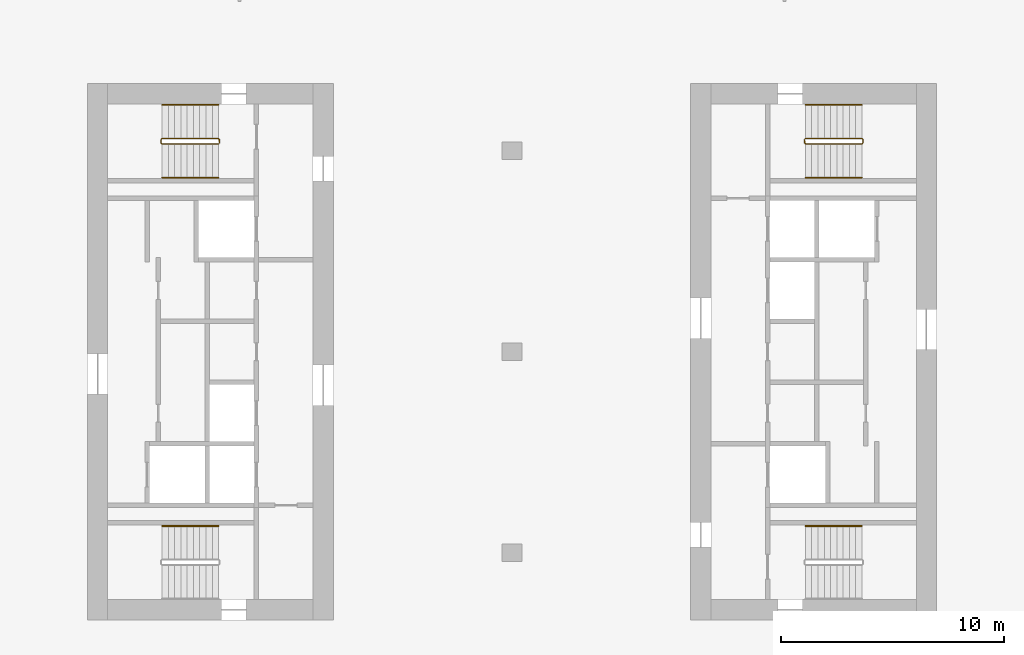
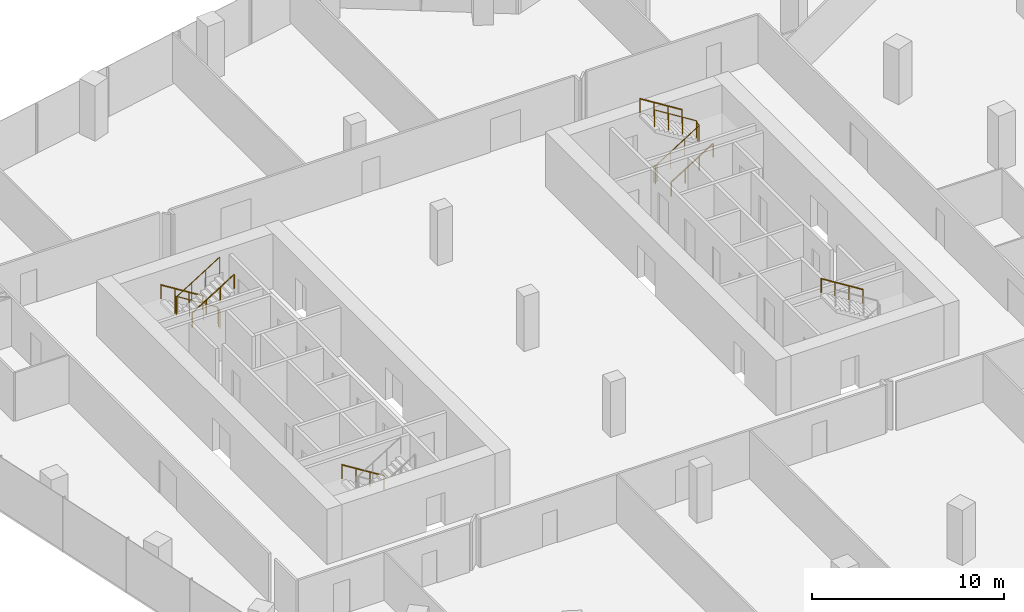
# One storey, part 24 of 24: 8 railings.
"""IFC4 building model written with IfcOpenShell, lengths in metres."""

import ifcopenshell
import ifcopenshell.guid

model = None  # the IFC model being written
_history = None  # IfcOwnerHistory: only IFC2X3 demands one
_inside = {}  # id of a spatial element -> (the spatial element, [elements in it])
_under = {}  # id of a project, library or spatial element -> (it, [spatial elements below it])
_declared = {}  # id of a project -> (the project, [libraries it declares])
_typed = {}  # id of a type object -> (the type object, [elements of that type])
_made_of = {}  # id of a material, layer set ... -> (it, [elements and type objects made of it])


def new_model(schema):
    """Start an empty IFC model of exactly this schema.

    Asked for "IFC4X3", IfcOpenShell would pick the latest addendum, in which some entities
    have other attributes; the version numbers below select the first issue.
    IFC2X3 requires an IfcOwnerHistory on every rooted entity: one is made here for all.
    """
    global model, _history
    if schema == "IFC4X3":
        model = ifcopenshell.file(schema_version=(4, 3, 0, 0))
    else:
        model = ifcopenshell.file(schema=schema)
    _inside.clear()
    _under.clear()
    _declared.clear()
    _typed.clear()
    _made_of.clear()
    _history = None
    if model.schema == "IFC2X3":
        org = make("IfcOrganization", Name="unknown")
        user = make(
            "IfcPersonAndOrganization",
            ThePerson=make("IfcPerson", FamilyName="unknown"),
            TheOrganization=org,
        )
        app = make(
            "IfcApplication",
            ApplicationDeveloper=org,
            Version="unknown",
            ApplicationFullName="unknown",
            ApplicationIdentifier="unknown",
        )
        _history = make(
            "IfcOwnerHistory",
            OwningUser=user,
            OwningApplication=app,
            ChangeAction="ADDED",
            CreationDate=0,
        )
    return model


def make(cls, **values):
    """One entity of the class cls with the attributes given. An attribute that is None is left unset."""
    return model.create_entity(
        cls, **{name: value for name, value in values.items() if value is not None}
    )


def rooted(cls, **values):
    """An entity with a GlobalId (a new one), such as an element, a storey or a relation."""
    return make(cls, GlobalId=ifcopenshell.guid.new(), OwnerHistory=_history, **values)


def si_unit(unit_type, name, prefix=None):
    """IfcSIUnit, for example si_unit("LENGTHUNIT", "METRE", prefix="MILLI")."""
    return make("IfcSIUnit", UnitType=unit_type, Prefix=prefix, Name=name)


def assignment(units):
    """IfcUnitAssignment: the units of a project."""
    return None if units is None else make("IfcUnitAssignment", Units=units)


def point(xyz):
    """IfcCartesianPoint."""
    return None if xyz is None else make("IfcCartesianPoint", Coordinates=xyz)


def direction(xyz):
    """IfcDirection."""
    return None if xyz is None else make("IfcDirection", DirectionRatios=xyz)


def frame(location, z_axis=None, x_axis=None):
    """IfcAxis2Placement3D, a coordinate frame: its origin and axes. An axis left out is left unset."""
    return make(
        "IfcAxis2Placement3D",
        Location=point(location),
        Axis=direction(z_axis),
        RefDirection=direction(x_axis),
    )


def frame_2d(location, x_axis=None):
    """IfcAxis2Placement2D, a coordinate frame in the plane: its origin and x axis."""
    return make(
        "IfcAxis2Placement2D", Location=point(location), RefDirection=direction(x_axis)
    )


def origin():
    """The frame at (0, 0, 0) with its axes left unset."""
    return frame((0.0, 0.0, 0.0))


def origin_2d():
    """The frame at (0, 0) in the plane with its x axis left unset."""
    return frame_2d((0.0, 0.0))


def place(relative_to, where):
    """IfcLocalPlacement: puts the frame where relative to a parent placement (None: the world)."""
    return make(
        "IfcLocalPlacement", PlacementRelTo=relative_to, RelativePlacement=where
    )


def context(
    kind, dimensions, precision=None, world=None, true_north=None, identifier=None
):
    """IfcGeometricRepresentationContext, for example the 3D "Model" context."""
    return make(
        "IfcGeometricRepresentationContext",
        ContextIdentifier=identifier,
        ContextType=kind,
        CoordinateSpaceDimension=dimensions,
        Precision=precision,
        WorldCoordinateSystem=world,
        TrueNorth=true_north,
    )


def subcontext(parent, identifier, kind, view, scale=None):
    """IfcGeometricRepresentationSubContext, for example "Body" below "Model"."""
    return make(
        "IfcGeometricRepresentationSubContext",
        ContextIdentifier=identifier,
        ContextType=kind,
        ParentContext=parent,
        TargetScale=scale,
        TargetView=view,
    )


def project(units=None, contexts=None):
    """IfcProject with its units and contexts."""
    return rooted(
        "IfcProject",
        Name="project",
        RepresentationContexts=contexts,
        UnitsInContext=assignment(units),
    )


def spatial(cls, under=None, at=None, **own):
    """A site, building, storey or space (cls), placed at a placement, below another one or the project."""
    s = rooted(cls, ObjectPlacement=at, **own)
    if under is not None:
        _under.setdefault(under.id(), (under, []))[1].append(s)
    return s


def profile(cls, at=None, kind="AREA", **sizes):
    """A parametric profile (cls). Its sizes go by their IFC names, for example OverallWidth=200.0."""
    return make(cls, ProfileType=kind, Position=at, **sizes)


def circle(**sizes):
    """IfcCircleProfileDef."""
    return profile("IfcCircleProfileDef", **sizes)


def extrude(swept, where, along, depth):
    """IfcExtrudedAreaSolid: the profile swept, set in the frame where, extruded along a direction by depth."""
    return make(
        "IfcExtrudedAreaSolid",
        SweptArea=swept,
        Position=where,
        ExtrudedDirection=direction(along),
        Depth=depth,
    )


def shape(context_of_items, identifier, shape_type, items):
    """IfcShapeRepresentation: the items that make up one representation, for example the "Body"."""
    return make(
        "IfcShapeRepresentation",
        ContextOfItems=context_of_items,
        RepresentationIdentifier=identifier,
        RepresentationType=shape_type,
        Items=items,
    )


def material(Name=None, Category=None):
    """IfcMaterial."""
    return make("IfcMaterial", Name=Name, Category=Category)


def made_of(thing, what):
    """Note that an element or type object is made of a material, layer set ...; save() writes the relation."""
    if what is not None:
        _made_of.setdefault(what.id(), (what, []))[1].append(thing)
    return thing


def type_object(cls, material=None, **own):
    """A type object (cls), such as IfcWallType, which elements share."""
    return made_of(rooted(cls, **own), material)


def element(
    cls,
    number,
    at=None,
    inside=None,
    cuts=None,
    type_object=None,
    material=None,
    context=None,
    identifier="Body",
    shape_type=None,
    held_by="IfcProductDefinitionShape",
    body=None,
    shapes=None,
    **own,
):
    """One element of the class cls, such as IfcWall. Its Tag is "e" and its number.

    at: its placement. inside: the storey or other place that contains it. cuts: it is an
    opening in that element (IfcRelVoidsElement). A single representation is given by context,
    identifier, shape_type and body (its items); several are given by shapes. held_by: the class
    of the entity that holds the representations. save() writes the other relations.
    """
    e = rooted(cls, Tag="e%d" % number, ObjectPlacement=at, **own)
    if body is not None:
        shapes = [shape(context, identifier, shape_type, body)]
    if shapes is not None:
        e.Representation = make(held_by, Representations=shapes)
    if inside is not None:
        _inside.setdefault(inside.id(), (inside, []))[1].append(e)
    if cuts is not None:
        rooted(
            "IfcRelVoidsElement", RelatingBuildingElement=cuts, RelatedOpeningElement=e
        )
    if type_object is not None:
        _typed.setdefault(type_object.id(), (type_object, []))[1].append(e)
    return made_of(e, material)


def aggregate(whole, parts):
    """IfcRelAggregates: a whole, such as a stair, and the parts it consists of."""
    return rooted("IfcRelAggregates", RelatingObject=whole, RelatedObjects=parts)


def save(model, path):
    """Write the relations noted so far, then the file.

    IfcRelAggregates (storeys below a building ...), IfcRelContainedInSpatialStructure (elements
    in a storey), IfcRelDefinesByType, IfcRelAssociatesMaterial and IfcRelDeclares: one each for
    every whole, place, type object, material and project.
    """
    for whole, parts in _under.values():
        aggregate(whole, parts)
    for where, things in _inside.values():
        rooted(
            "IfcRelContainedInSpatialStructure",
            RelatedElements=things,
            RelatingStructure=where,
        )
    for kind, things in _typed.values():
        rooted("IfcRelDefinesByType", RelatedObjects=things, RelatingType=kind)
    for what, things in _made_of.values():
        rooted("IfcRelAssociatesMaterial", RelatedObjects=things, RelatingMaterial=what)
    for by, libraries in _declared.values():
        rooted("IfcRelDeclares", RelatingContext=by, RelatedDefinitions=libraries)
    model.write(path)


model = new_model("IFC4")

# Units and contexts
model_context = context("Model", 3, precision=1e-05, world=origin(), true_north=direction((0.0, 1.0)))
body_context = subcontext(model_context, "Body", "Model", "MODEL_VIEW")
ifc_project = project(units=[si_unit("LENGTHUNIT", "METRE"), si_unit("AREAUNIT", "SQUARE_METRE"), si_unit("VOLUMEUNIT", "CUBIC_METRE"), si_unit("PLANEANGLEUNIT", "RADIAN"), si_unit("MASSUNIT", "GRAM", prefix="KILO")], contexts=[model_context])

# Site, building, storey
site_placement = place(None, origin())
site = spatial("IfcSite", under=ifc_project, at=site_placement, CompositionType="ELEMENT")
building_placement = place(site_placement, origin())
building = spatial("IfcBuilding", under=site, at=building_placement, Name="Orlundy Tower", CompositionType="ELEMENT")
storey_placement = place(building_placement, frame((0.0, 0.0, 235.5)))
storey = spatial("IfcBuildingStorey", under=building, at=storey_placement, Name="L62", CompositionType="ELEMENT", Elevation=235.5)

# Railings
ifc_material_1 = material(Name="Steel balustrade", Category="steel")
railing_type_1 = type_object("IfcRailingType", Name="Stair Guard 1100", PredefinedType="GUARDRAIL", material=ifc_material_1)
railing_1_placement = place(storey_placement, frame((-13.090087890625, 9.5, 0.0)))
element("IfcRailing", 1, at=railing_1_placement, inside=storey, type_object=railing_type_1, Name="L62 ST-W1 stair guard 1", PredefinedType="GUARDRAIL", context=body_context, shape_type="SweptSolid", body=[
    extrude(circle(Radius=0.02392578125, at=origin_2d()), frame((0.0, 0.0, 1.076171875), z_axis=(0.0, -1.0, 0.0), x_axis=(1.0, 0.0, 0.0)), (0.0, 0.0, 1.0), 0.14990234375),
    extrude(circle(Radius=0.02392578125, at=origin_2d()), frame((0.0, -0.14990234375, 1.076171875), z_axis=(-0.18420542264, 0.739530593833, 0.647427882513), x_axis=(-0.970351222016, -0.241699205484, 0.0)), (0.0, 0.0, 1.0), 0.270263671875),
    extrude(circle(Radius=0.02392578125, at=origin_2d()), frame((-0.0498046875, 0.050048828125, 1.2509765625), z_axis=(-0.848007534815, 0.0, 0.529984170421), x_axis=(0.0, -1.0, 0.0)), (0.0, 0.0, 1.0), 2.9716796875),
    extrude(circle(Radius=0.02392578125, at=origin_2d()), frame((-2.56982421875, 0.050048828125, 2.826171875), z_axis=(-0.707106781187, -0.707106781187, 0.0), x_axis=(0.707106781187, -0.707106781187, 0.0)), (0.0, 0.0, 1.0), 0.07080078125),
    extrude(circle(Radius=0.02392578125, at=origin_2d()), frame((-2.619873046875, 0.0, 2.826171875), z_axis=(0.0, -1.0, 0.0), x_axis=(1.0, 0.0, 0.0)), (0.0, 0.0, 1.0), 0.14990234375),
    extrude(circle(Radius=0.02392578125, at=origin_2d()), frame((-2.619873046875, -0.14990234375, 2.826171875), z_axis=(0.265065253269, -0.265065253269, 0.927081885822), x_axis=(0.707106781187, 0.707106781187, 0.0)), (0.0, 0.0, 1.0), 0.188720703125),
    extrude(circle(Radius=0.02392578125, at=origin_2d()), frame((-2.56982421875, -0.199951171875, 3.0009765625), z_axis=(0.848007534815, 0.0, 0.529984170421), x_axis=(0.0, 1.0, 0.0)), (0.0, 0.0, 1.0), 2.9716796875),
    extrude(circle(Radius=0.02099609375, at=origin_2d()), origin(), (0.0, 0.0, 1.0), 1.052001953125),
    extrude(circle(Radius=0.02099609375, at=origin_2d()), frame((0.0, -0.14990234375, 0.0)), (0.0, 0.0, 1.0), 1.052001953125),
    extrude(circle(Radius=0.02099609375, at=origin_2d()), frame((-0.0498046875, 0.050048828125, 0.175048828125)), (0.0, 0.0, 1.0), 1.052001953125),
    extrude(circle(Radius=0.02099609375, at=origin_2d()), frame((-0.889892578125, 0.050048828125, 0.699951171875)), (0.0, 0.0, 1.0), 1.052001953125),
    extrude(circle(Radius=0.02099609375, at=origin_2d()), frame((-1.729736328125, 0.050048828125, 1.22509765625)), (0.0, 0.0, 1.0), 1.052001953125),
    extrude(circle(Radius=0.02099609375, at=origin_2d()), frame((-2.56982421875, 0.050048828125, 1.75)), (0.0, 0.0, 1.0), 1.052001953125),
    extrude(circle(Radius=0.02099609375, at=origin_2d()), frame((-2.619873046875, 0.0, 1.75)), (0.0, 0.0, 1.0), 1.052001953125),
    extrude(circle(Radius=0.02099609375, at=origin_2d()), frame((-2.619873046875, -0.14990234375, 1.75)), (0.0, 0.0, 1.0), 1.052001953125),
    extrude(circle(Radius=0.02099609375, at=origin_2d()), frame((-2.56982421875, -0.199951171875, 1.925048828125)), (0.0, 0.0, 1.0), 1.052001953125),
    extrude(circle(Radius=0.02099609375, at=origin_2d()), frame((-1.729736328125, -0.199951171875, 2.449951171875)), (0.0, 0.0, 1.0), 1.052001953125),
    extrude(circle(Radius=0.02099609375, at=origin_2d()), frame((-0.889892578125, -0.199951171875, 2.97509765625)), (0.0, 0.0, 1.0), 1.052001953125),
    extrude(circle(Radius=0.02099609375, at=origin_2d()), frame((-0.0498046875, -0.199951171875, 3.5)), (0.0, 0.0, 1.0), 1.052001953125),
])
railing_2_placement = place(storey_placement, frame((13.090087890625, 9.35009765625, 0.0)))
element("IfcRailing", 2, at=railing_2_placement, inside=storey, type_object=railing_type_1, Name="L62 ST-E2 stair guard 1", PredefinedType="GUARDRAIL", context=body_context, shape_type="SweptSolid", body=[
    extrude(circle(Radius=0.02392578125, at=origin_2d()), frame((0.0, 0.0, 1.076171875), z_axis=(0.0, 1.0, 0.0), x_axis=(-1.0, 0.0, 0.0)), (0.0, 0.0, 1.0), 0.14990234375),
    extrude(circle(Radius=0.02392578125, at=origin_2d()), frame((0.0, 0.14990234375, 1.076171875), z_axis=(0.18420542264, -0.739530593833, 0.647427882513), x_axis=(0.970351222016, 0.241699205484, 0.0)), (0.0, 0.0, 1.0), 0.270263671875),
    extrude(circle(Radius=0.02392578125, at=origin_2d()), frame((0.0498046875, -0.050048828125, 1.2509765625), z_axis=(0.848007534815, 0.0, 0.529984170421), x_axis=(0.0, 1.0, 0.0)), (0.0, 0.0, 1.0), 2.9716796875),
    extrude(circle(Radius=0.02392578125, at=origin_2d()), frame((2.56982421875, -0.050048828125, 2.826171875), z_axis=(0.707106781187, 0.707106781187, 0.0), x_axis=(-0.707106781187, 0.707106781187, 0.0)), (0.0, 0.0, 1.0), 0.07080078125),
    extrude(circle(Radius=0.02392578125, at=origin_2d()), frame((2.619873046875, 0.0, 2.826171875), z_axis=(0.0, 1.0, 0.0), x_axis=(-1.0, 0.0, 0.0)), (0.0, 0.0, 1.0), 0.14990234375),
    extrude(circle(Radius=0.02392578125, at=origin_2d()), frame((2.619873046875, 0.14990234375, 2.826171875), z_axis=(-0.265065253269, 0.265065253269, 0.927081885822), x_axis=(-0.707106781187, -0.707106781187, 0.0)), (0.0, 0.0, 1.0), 0.188720703125),
    extrude(circle(Radius=0.02392578125, at=origin_2d()), frame((2.56982421875, 0.199951171875, 3.0009765625), z_axis=(-0.848007534815, 0.0, 0.529984170421), x_axis=(0.0, -1.0, 0.0)), (0.0, 0.0, 1.0), 2.9716796875),
    extrude(circle(Radius=0.02099609375, at=origin_2d()), origin(), (0.0, 0.0, 1.0), 1.052001953125),
    extrude(circle(Radius=0.02099609375, at=origin_2d()), frame((0.0, 0.14990234375, 0.0)), (0.0, 0.0, 1.0), 1.052001953125),
    extrude(circle(Radius=0.02099609375, at=origin_2d()), frame((0.0498046875, -0.050048828125, 0.175048828125)), (0.0, 0.0, 1.0), 1.052001953125),
    extrude(circle(Radius=0.02099609375, at=origin_2d()), frame((0.889892578125, -0.050048828125, 0.699951171875)), (0.0, 0.0, 1.0), 1.052001953125),
    extrude(circle(Radius=0.02099609375, at=origin_2d()), frame((1.729736328125, -0.050048828125, 1.22509765625)), (0.0, 0.0, 1.0), 1.052001953125),
    extrude(circle(Radius=0.02099609375, at=origin_2d()), frame((2.56982421875, -0.050048828125, 1.75)), (0.0, 0.0, 1.0), 1.052001953125),
    extrude(circle(Radius=0.02099609375, at=origin_2d()), frame((2.619873046875, 0.0, 1.75)), (0.0, 0.0, 1.0), 1.052001953125),
    extrude(circle(Radius=0.02099609375, at=origin_2d()), frame((2.619873046875, 0.14990234375, 1.75)), (0.0, 0.0, 1.0), 1.052001953125),
    extrude(circle(Radius=0.02099609375, at=origin_2d()), frame((2.56982421875, 0.199951171875, 1.925048828125)), (0.0, 0.0, 1.0), 1.052001953125),
    extrude(circle(Radius=0.02099609375, at=origin_2d()), frame((1.729736328125, 0.199951171875, 2.449951171875)), (0.0, 0.0, 1.0), 1.052001953125),
    extrude(circle(Radius=0.02099609375, at=origin_2d()), frame((0.889892578125, 0.199951171875, 2.97509765625)), (0.0, 0.0, 1.0), 1.052001953125),
    extrude(circle(Radius=0.02099609375, at=origin_2d()), frame((0.0498046875, 0.199951171875, 3.5)), (0.0, 0.0, 1.0), 1.052001953125),
])
ifc_material_2 = material(Name="Steel handrail", Category="steel")
railing_type_2 = type_object("IfcRailingType", Name="Stair Handrail 900", PredefinedType="HANDRAIL", material=ifc_material_2)
railing_3_placement = place(storey_placement, frame((-13.139892578125, 11.050048828125, 0.175048828125)))
element("IfcRailing", 3, at=railing_3_placement, inside=storey, type_object=railing_type_2, Name="L62 ST-W1 stair handrail 1", PredefinedType="HANDRAIL", context=body_context, shape_type="SweptSolid", body=[
    extrude(circle(Radius=0.02392578125, at=origin_2d()), frame((0.0, 0.0, 0.8759765625), z_axis=(-0.848007534815, 0.0, 0.529984170421), x_axis=(0.0, -1.0, 0.0)), (0.0, 0.0, 1.0), 2.9716796875),
    extrude(circle(Radius=0.02099609375, at=origin_2d()), origin(), (0.0, 0.0, 1.0), 0.851806640625),
    extrude(circle(Radius=0.02099609375, at=origin_2d()), frame((-0.840087890625, 0.0, 0.52490234375)), (0.0, 0.0, 1.0), 0.851806640625),
    extrude(circle(Radius=0.02099609375, at=origin_2d()), frame((-1.679931640625, 0.0, 1.050048828125)), (0.0, 0.0, 1.0), 0.851806640625),
    extrude(circle(Radius=0.02099609375, at=origin_2d()), frame((-2.52001953125, 0.0, 1.574951171875)), (0.0, 0.0, 1.0), 0.851806640625),
])
railing_4_placement = place(storey_placement, frame((-15.659912109375, 7.800048828125, 1.925048828125)))
element("IfcRailing", 4, at=railing_4_placement, inside=storey, type_object=railing_type_2, Name="L62 ST-W1 stair handrail 2", PredefinedType="HANDRAIL", context=body_context, shape_type="SweptSolid", body=[
    extrude(circle(Radius=0.02392578125, at=origin_2d()), frame((0.0, 0.0, 0.8759765625), z_axis=(0.848007534815, 0.0, 0.529984170421), x_axis=(0.0, 1.0, 0.0)), (0.0, 0.0, 1.0), 2.9716796875),
    extrude(circle(Radius=0.02099609375, at=origin_2d()), origin(), (0.0, 0.0, 1.0), 0.851806640625),
    extrude(circle(Radius=0.02099609375, at=origin_2d()), frame((0.840087890625, 0.0, 0.52490234375)), (0.0, 0.0, 1.0), 0.851806640625),
    extrude(circle(Radius=0.02099609375, at=origin_2d()), frame((1.679931640625, 0.0, 1.050048828125)), (0.0, 0.0, 1.0), 0.851806640625),
    extrude(circle(Radius=0.02099609375, at=origin_2d()), frame((2.52001953125, 0.0, 1.574951171875)), (0.0, 0.0, 1.0), 0.851806640625),
])
for number, where, name in (
    (5, (-13.139892578125, -7.800048828125, 0.175048828125), "L62 ST-W2 stair handrail 1"),
    (6, (15.659912109375, -7.800048828125, 1.925048828125), "L62 ST-E1 stair handrail 2"),
):
    element("IfcRailing", number, at=place(storey_placement, frame(where)), inside=storey, type_object=railing_type_2, Name=name, PredefinedType="HANDRAIL", context=body_context, shape_type="SweptSolid", body=[
        extrude(circle(Radius=0.02392578125, at=origin_2d()), frame((0.0, 0.0, 0.8759765625), z_axis=(-0.848007534815, 0.0, 0.529984170421), x_axis=(0.0, -1.0, 0.0)), (0.0, 0.0, 1.0), 2.9716796875),
        extrude(circle(Radius=0.02099609375, at=origin_2d()), origin(), (0.0, 0.0, 1.0), 0.851806640625),
        extrude(circle(Radius=0.02099609375, at=origin_2d()), frame((-0.840087890625, 0.0, 0.52490234375)), (0.0, 0.0, 1.0), 0.851806640625),
        extrude(circle(Radius=0.02099609375, at=origin_2d()), frame((-1.679931640625, 0.0, 1.050048828125)), (0.0, 0.0, 1.0), 0.851806640625),
        extrude(circle(Radius=0.02099609375, at=origin_2d()), frame((-2.52001953125, 0.0, 1.574951171875)), (0.0, 0.0, 1.0), 0.851806640625),
    ])
railing_5_placement = place(storey_placement, frame((13.139892578125, 7.800048828125, 0.175048828125)))
element("IfcRailing", 7, at=railing_5_placement, inside=storey, type_object=railing_type_2, Name="L62 ST-E2 stair handrail 1", PredefinedType="HANDRAIL", context=body_context, shape_type="SweptSolid", body=[
    extrude(circle(Radius=0.02392578125, at=origin_2d()), frame((0.0, 0.0, 0.8759765625), z_axis=(0.848007534815, 0.0, 0.529984170421), x_axis=(0.0, 1.0, 0.0)), (0.0, 0.0, 1.0), 2.9716796875),
    extrude(circle(Radius=0.02099609375, at=origin_2d()), origin(), (0.0, 0.0, 1.0), 0.851806640625),
    extrude(circle(Radius=0.02099609375, at=origin_2d()), frame((0.840087890625, 0.0, 0.52490234375)), (0.0, 0.0, 1.0), 0.851806640625),
    extrude(circle(Radius=0.02099609375, at=origin_2d()), frame((1.679931640625, 0.0, 1.050048828125)), (0.0, 0.0, 1.0), 0.851806640625),
    extrude(circle(Radius=0.02099609375, at=origin_2d()), frame((2.52001953125, 0.0, 1.574951171875)), (0.0, 0.0, 1.0), 0.851806640625),
])
railing_6_placement = place(storey_placement, frame((15.659912109375, 11.050048828125, 1.925048828125)))
element("IfcRailing", 8, at=railing_6_placement, inside=storey, type_object=railing_type_2, Name="L62 ST-E2 stair handrail 2", PredefinedType="HANDRAIL", context=body_context, shape_type="SweptSolid", body=[
    extrude(circle(Radius=0.02392578125, at=origin_2d()), frame((0.0, 0.0, 0.8759765625), z_axis=(-0.848007534815, 0.0, 0.529984170421), x_axis=(0.0, -1.0, 0.0)), (0.0, 0.0, 1.0), 2.9716796875),
    extrude(circle(Radius=0.02099609375, at=origin_2d()), origin(), (0.0, 0.0, 1.0), 0.851806640625),
    extrude(circle(Radius=0.02099609375, at=origin_2d()), frame((-0.840087890625, 0.0, 0.52490234375)), (0.0, 0.0, 1.0), 0.851806640625),
    extrude(circle(Radius=0.02099609375, at=origin_2d()), frame((-1.679931640625, 0.0, 1.050048828125)), (0.0, 0.0, 1.0), 0.851806640625),
    extrude(circle(Radius=0.02099609375, at=origin_2d()), frame((-2.52001953125, 0.0, 1.574951171875)), (0.0, 0.0, 1.0), 0.851806640625),
])

save(model, "model.ifc")
